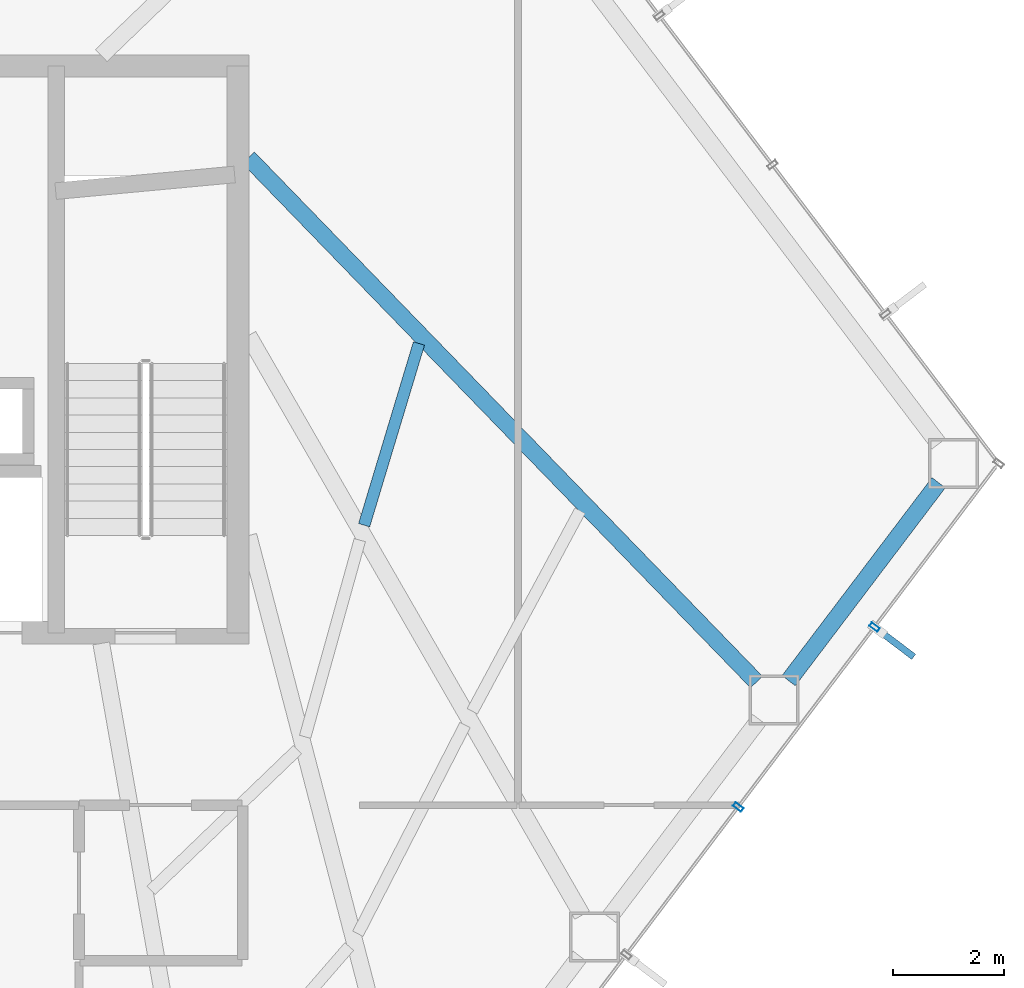
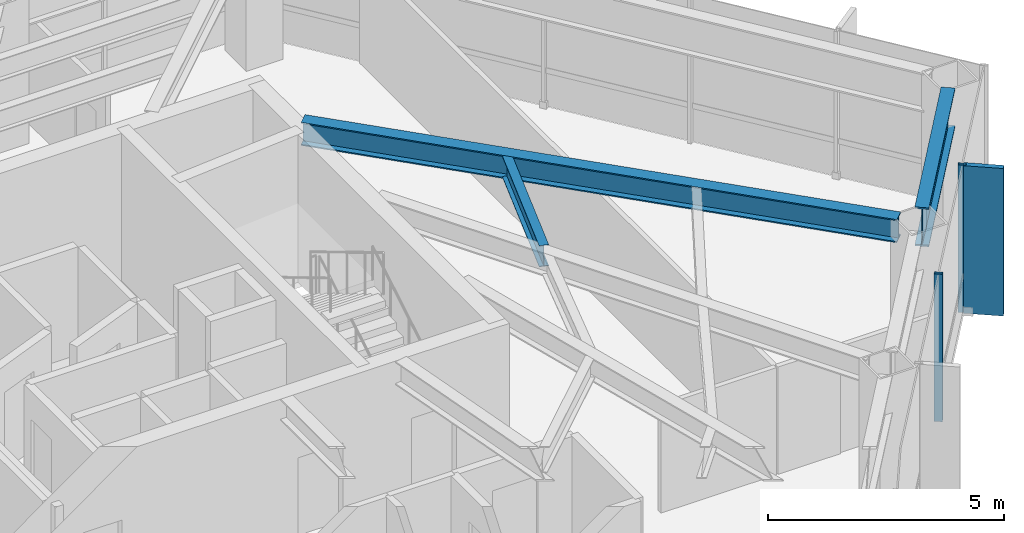
# One storey, part 16 of 24: 3 beams, 3 members, 1 element without a shape of its own.
"""IFC4 building model written with IfcOpenShell, lengths in metres."""

from ifc_helpers import new_model, si_unit, direction, frame, origin, origin_2d, place, context, subcontext, project, spatial, rectangle, hollow_rectangle, i_section, extrude, material, layer, layer_set, material_profile, profile_set, type_object, element, aggregate, save


model = new_model("IFC4")

# Units and contexts
model_context = context("Model", 3, precision=1e-05, world=origin(), true_north=direction((0.0, 1.0)))
body_context = subcontext(model_context, "Body", "Model", "MODEL_VIEW")
ifc_project = project(units=[si_unit("LENGTHUNIT", "METRE"), si_unit("AREAUNIT", "SQUARE_METRE"), si_unit("VOLUMEUNIT", "CUBIC_METRE"), si_unit("PLANEANGLEUNIT", "RADIAN"), si_unit("MASSUNIT", "GRAM", prefix="KILO")], contexts=[model_context])

# Site, building, storey
site_placement = place(None, origin())
site = spatial("IfcSite", under=ifc_project, at=site_placement, CompositionType="ELEMENT")
building_placement = place(site_placement, origin())
building = spatial("IfcBuilding", under=site, at=building_placement, Name="Zarrinselat Tower", CompositionType="ELEMENT")
storey_placement = place(building_placement, frame((0.0, 0.0, 76.5)))
storey = spatial("IfcBuildingStorey", under=building, at=storey_placement, Name="L18", CompositionType="ELEMENT", Elevation=76.5)

# Beams
ifc_material_1 = material(Name="Steel S355J2", Category="steel")
ifc_material_profile_1 = material_profile(ifc_material_1, i_section(OverallWidth=0.300048828125, OverallDepth=0.60009765625, WebThickness=0.015380859375, FlangeThickness=0.030029296875, at=origin_2d()), Name="HEB 600")
ifc_profile_set_1 = profile_set([ifc_material_profile_1], Name="Steel S355J2")
beam_type_1 = type_object("IfcBeamType", Name="BM-HEB600", PredefinedType="BEAM", material=ifc_profile_set_1)
beam_1_placement = place(storey_placement, frame((48.449951171875, 41.800048828125, 3.52001953125), z_axis=(0.695898254453, -0.718140389792, 0.0), x_axis=(0.718140389792, 0.695898254453, 0.0)))
element("IfcBeam", 1, at=beam_1_placement, inside=storey, type_object=beam_type_1, Name="L18 Radial Primary Girder RG14", PredefinedType="BEAM", context=body_context, shape_type="SweptSolid", body=[
    extrude(i_section(OverallWidth=0.300048828125, OverallDepth=0.60009765625, WebThickness=0.015380859375, FlangeThickness=0.030029296875, at=origin_2d()), origin(), (0.0, 0.0, 1.0), 13.138916015625),
])
ifc_material_2 = material(Name="Steel S460M", Category="steel")
ifc_material_profile_2 = material_profile(ifc_material_2, i_section(OverallWidth=0.302001953125, OverallDepth=1.008056640625, WebThickness=0.02099609375, FlangeThickness=0.0400390625, at=origin_2d()), Name="HEM 1000")
ifc_profile_set_2 = profile_set([ifc_material_profile_2], Name="Steel S460M")
beam_type_2 = type_object("IfcBeamType", Name="BM-HEM1000", PredefinedType="BEAM", material=ifc_profile_set_2)
beam_2_placement = place(storey_placement, frame((58.172119140625, 32.388916015625, 3.31591796875), z_axis=(0.603837710375, 0.797107282321, 0.0), x_axis=(-0.797107282321, 0.603837710375, 0.0)))
element("IfcBeam", 2, at=beam_2_placement, inside=storey, type_object=beam_type_2, Name="L18 Perimeter Spandrel Girder SP14", PredefinedType="BEAM", context=body_context, shape_type="SweptSolid", body=[
    extrude(i_section(OverallWidth=0.302001953125, OverallDepth=1.008056640625, WebThickness=0.02099609375, FlangeThickness=0.0400390625, at=origin_2d()), origin(), (0.0, 0.0, 1.0), 4.470458984375),
])
ifc_material_3 = material(Name="Steel S355J2", Category="steel")
ifc_material_profile_3 = material_profile(ifc_material_3, i_section(OverallWidth=0.2099609375, OverallDepth=0.550048828125, WebThickness=0.010986328125, FlangeThickness=0.01708984375, at=origin_2d()), Name="IPE 550")
ifc_profile_set_3 = profile_set([ifc_material_profile_3], Name="Steel S355J2")
beam_type_3 = type_object("IfcBeamType", Name="BM-IPE550", PredefinedType="JOIST", material=ifc_profile_set_3)
beam_3_placement = place(storey_placement, frame((50.53173828125, 35.187744140625, 3.544921875), z_axis=(0.288822907405, 0.957382540136, 0.0), x_axis=(-0.957382540136, 0.288822907405, 0.0)))
element("IfcBeam", 3, at=beam_3_placement, inside=storey, type_object=beam_type_3, Name="L18 Composite Floor Joist 5-2", PredefinedType="JOIST", context=body_context, shape_type="SweptSolid", body=[
    extrude(i_section(OverallWidth=0.2099609375, OverallDepth=0.550048828125, WebThickness=0.010986328125, FlangeThickness=0.01708984375, at=origin_2d()), origin(), (0.0, 0.0, 1.0), 3.415771484375),
])

# Curtain wall, members
ifc_material_4 = material(Name="Extruded Aluminium Alloy EN AW-6063 T6", Category="aluminium")
ifc_layer = layer(ifc_material_4, 0.18505859375)
ifc_layer_set = layer_set([ifc_layer], Name="Extruded Aluminium Alloy EN AW-6063 T6")
curtain_wall_type = type_object("IfcCurtainWallType", Name="CWS-OFF", PredefinedType="NOTDEFINED", material=ifc_layer_set)
curtain_wall_placement = place(storey_placement, origin())
curtain_wall = element("IfcCurtainWall", 4, at=curtain_wall_placement, inside=storey, type_object=curtain_wall_type, Name="L18 Unitised Curtain Wall CW-L18-E05", PredefinedType="NOTDEFINED")
ifc_material_5 = material(Name="Extruded Aluminium Alloy EN AW-6063 T6", Category="aluminium")
ifc_material_profile_4 = material_profile(ifc_material_5, hollow_rectangle(XDim=0.080078125, YDim=0.179931640625, WallThickness=0.0048828125, at=origin_2d()), Name="RHS 180x80x5")
ifc_profile_set_4 = profile_set([ifc_material_profile_4], Name="Extruded Aluminium Alloy EN AW-6063 T6")
member_type_1 = type_object("IfcMemberType", Name="MEM-CW-MUL", PredefinedType="MULLION", material=ifc_profile_set_4)
member_1_placement = place(storey_placement, frame((57.263916015625, 30.11376953125, 0.0), z_axis=(0.0, 0.0, 1.0), x_axis=(0.603855086386, 0.797094119063, 0.0)))
member_1 = element("IfcMember", 5, at=member_1_placement, type_object=member_type_1, Name="CW-L18-E05 Mullion 4", PredefinedType="MULLION", context=body_context, shape_type="SweptSolid", body=[
    extrude(hollow_rectangle(XDim=0.080078125, YDim=0.179931640625, WallThickness=0.0048828125, at=origin_2d()), origin(), (0.0, 0.0, 1.0), 3.820068359375),
])
member_2_placement = place(storey_placement, frame((59.71728515625, 33.352294921875, 0.0), z_axis=(0.0, 0.0, 1.0), x_axis=(0.603855086386, 0.797094119063, 0.0)))
member_2 = element("IfcMember", 6, at=member_2_placement, type_object=member_type_1, Name="CW-L18-E05 Mullion 5", PredefinedType="MULLION", context=body_context, shape_type="SweptSolid", body=[
    extrude(hollow_rectangle(XDim=0.080078125, YDim=0.179931640625, WallThickness=0.0048828125, at=origin_2d()), origin(), (0.0, 0.0, 1.0), 3.820068359375),
])
ifc_material_6 = material(Name="Honed Cream Travertine Stone", Category="masonry")
ifc_material_profile_5 = material_profile(ifc_material_6, rectangle(XDim=0.1201171875, YDim=0.85009765625, at=origin_2d()), Name="FIN 850x120")
ifc_profile_set_5 = profile_set([ifc_material_profile_5], Name="Honed Cream Travertine Stone")
member_type_2 = type_object("IfcMemberType", Name="MEM-STONE-FIN", PredefinedType="USERDEFINED", material=ifc_profile_set_5)
member_3_placement = place(storey_placement, frame((60.083984375, 33.074462890625, 0.0), z_axis=(0.0, 0.0, 1.0), x_axis=(-0.603855086386, -0.797094119063, 0.0)))
member_3 = element("IfcMember", 7, at=member_3_placement, type_object=member_type_2, Name="L18 Stone Shading Fin CW-L18-E05-05", ObjectType="FIN", PredefinedType="USERDEFINED", context=body_context, shape_type="SweptSolid", body=[
    extrude(rectangle(XDim=0.1201171875, YDim=0.85009765625, at=origin_2d()), origin(), (0.0, 0.0, 1.0), 3.820068359375),
])
aggregate(curtain_wall, [member_1, member_2, member_3])

save(model, "model.ifc")
